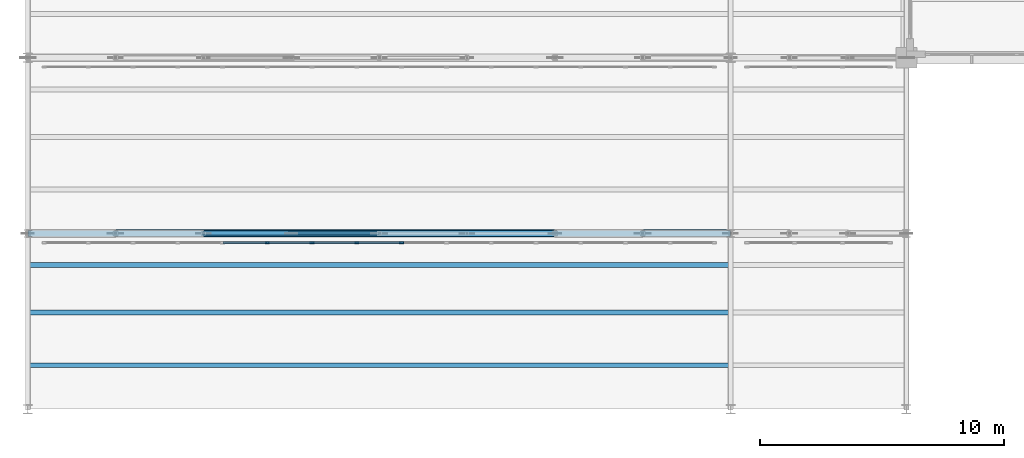
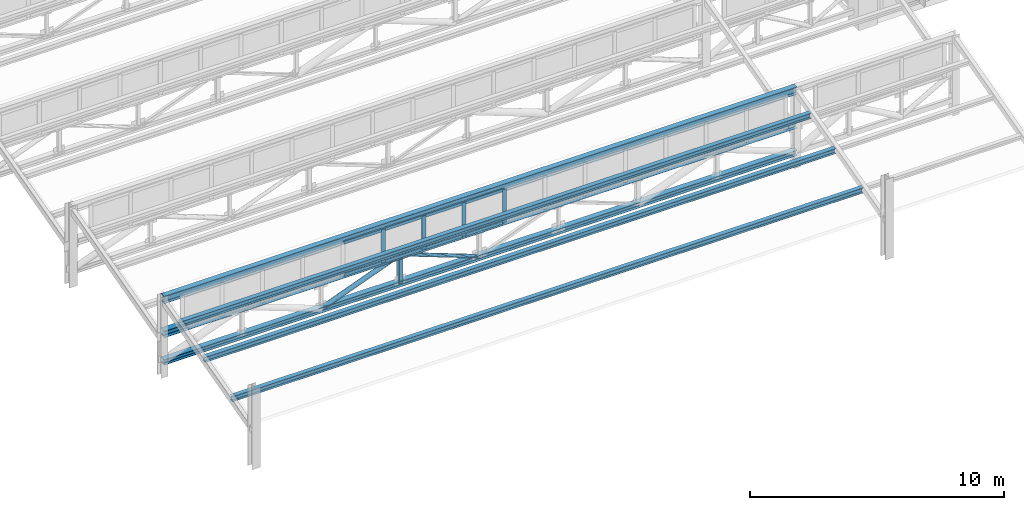
# One storey, part 8 of 98: 17 members, 4 beams, 1 element without a shape of its own.
"""IFC4 building model written with IfcOpenShell, lengths in metres."""

from ifc_helpers import new_model, si_unit, direction, frame, origin, origin_2d, place, context, subcontext, project, spatial, rectangle, hollow_rectangle, hollow_circle, i_section, extrude, material, layer, layer_set, material_profile, profile_set, type_object, element, aggregate, save


model = new_model("IFC4")

# Units and contexts
model_context = context("Model", 3, precision=1e-05, world=origin(), true_north=direction((0.0, 1.0)))
body_context = subcontext(model_context, "Body", "Model", "MODEL_VIEW")
ifc_project = project(units=[si_unit("LENGTHUNIT", "METRE"), si_unit("AREAUNIT", "SQUARE_METRE"), si_unit("VOLUMEUNIT", "CUBIC_METRE"), si_unit("PLANEANGLEUNIT", "RADIAN"), si_unit("MASSUNIT", "GRAM", prefix="KILO")], contexts=[model_context])

# Site, building, storey
site_placement = place(None, origin())
site = spatial("IfcSite", under=ifc_project, at=site_placement, CompositionType="ELEMENT")
building_placement = place(site_placement, origin())
building = spatial("IfcBuilding", under=site, at=building_placement, Name="Solenvale Faculty of Natural Sciences", CompositionType="ELEMENT")
storey_placement = place(building_placement, frame((0.0, 0.0, 9.0)))
storey = spatial("IfcBuildingStorey", under=building, at=storey_placement, Name="L02", CompositionType="ELEMENT", Elevation=9.0)

# Beams
ifc_material_1 = material(Name="Steel S355", Category="steel")
ifc_material_profile_1 = material_profile(ifc_material_1, i_section(OverallWidth=0.202880859375, OverallDepth=0.251953125, WebThickness=0.008056640625, FlangeThickness=0.013427734375, FilletRadius=0.012939453125, at=origin_2d()), Name="W250x58")
ifc_profile_set_1 = profile_set([ifc_material_profile_1], Name="Steel S355")
beam_type_1 = type_object("IfcBeamType", Name="BM-PRL-W250x58", PredefinedType="JOIST", material=ifc_profile_set_1)
for number, where, z_axis, x_axis, name in (
    (1, (0.0, 1.800048828125, 2.17919921875), (1.0, 0.0, 0.0), (0.0, 1.0, 0.0), "V1 Sawtooth Purlin 1.1.1"),
    (2, (0.0, 3.9599609375, 2.75830078125), (1.0, 0.0, 0.0), (0.0, 1.0, 0.0), "V1 Sawtooth Purlin 1.1.2"),
    (3, (0.0, 5.904052734375, 3.279296875), (1.0, 0.0, 0.0), (0.0, 1.0, 0.0), "V1 Sawtooth Purlin 1.1.3"),
):
    element("IfcBeam", number, at=place(storey_placement, frame(where, z_axis=z_axis, x_axis=x_axis)), inside=storey, type_object=beam_type_1, Name=name, PredefinedType="JOIST", context=body_context, shape_type="SweptSolid", body=[
        extrude(i_section(OverallWidth=0.202880859375, OverallDepth=0.251953125, WebThickness=0.008056640625, FlangeThickness=0.013427734375, FilletRadius=0.012939453125, at=origin_2d()), origin(), (0.0, 0.0, 1.0), 28.7041015625),
    ])
ifc_material_profile_2 = material_profile(ifc_material_1, i_section(OverallWidth=0.2548828125, OverallDepth=0.35693359375, WebThickness=0.010498046875, FlangeThickness=0.018310546875, FilletRadius=0.014892578125, at=origin_2d()), Name="W360x101")
ifc_profile_set_2 = profile_set([ifc_material_profile_2], Name="Steel S355")
beam_type_2 = type_object("IfcBeamType", Name="BM-STL-W360x101", PredefinedType="JOIST", material=ifc_profile_set_2)
beam_placement = place(storey_placement, frame((0.0, 7.199951171875, 3.68896484375), z_axis=(1.0, 0.0, 0.0), x_axis=(0.0, 1.0, 0.0)))
element("IfcBeam", 4, at=beam_placement, inside=storey, type_object=beam_type_2, Name="V1 Sawtooth Clerestory Ridge Beam 1.1", PredefinedType="JOIST", context=body_context, shape_type="SweptSolid", body=[
    extrude(i_section(OverallWidth=0.2548828125, OverallDepth=0.35693359375, WebThickness=0.010498046875, FlangeThickness=0.018310546875, FilletRadius=0.014892578125, at=origin_2d()), origin(), (0.0, 0.0, 1.0), 28.800048828125),
])

# Curtain wall, members
ifc_material_2 = material(Name="Anodised bronze aluminium", Category="aluminium")
ifc_layer = layer(ifc_material_2, 0.1650390625)
ifc_layer_set = layer_set([ifc_layer], Name="Anodised bronze aluminium")
curtain_wall_type = type_object("IfcCurtainWallType", Name="CW-SAW-CLR", PredefinedType="USERDEFINED", material=ifc_layer_set)
curtain_wall_placement = place(storey_placement, origin())
curtain_wall = element("IfcCurtainWall", 5, at=curtain_wall_placement, inside=storey, type_object=curtain_wall_type, Name="L02 Curtain Wall SAW-V1-CW-1-1", ObjectType="NORTH LIGHT CLERESTORY", PredefinedType="USERDEFINED")
ifc_material_profile_3 = material_profile(ifc_material_2, rectangle(XDim=0.06494140625, YDim=0.175048828125, at=origin_2d()), Name="ALU-MUL-65x175")
ifc_profile_set_3 = profile_set([ifc_material_profile_3], Name="Anodised bronze aluminium")
member_type_1 = type_object("IfcMemberType", Name="CWM-ALU-65x175", PredefinedType="MULLION", material=ifc_profile_set_3)
member_1_placement = place(storey_placement, frame((15.3173828125, 6.820068359375, 2.22998046875), z_axis=(0.0, 0.0, 1.0), x_axis=(0.0, -1.0, 0.0)))
member_1 = element("IfcMember", 6, at=member_1_placement, type_object=member_type_1, Name="CW-05 mullion 8", PredefinedType="MULLION", context=body_context, shape_type="SweptSolid", body=[
    extrude(rectangle(XDim=0.06494140625, YDim=0.175048828125, at=origin_2d()), origin(), (0.0, 0.0, 1.0), 1.610107421875),
])
member_2_placement = place(storey_placement, frame((13.482666015625, 6.820068359375, 2.22998046875), z_axis=(0.0, 0.0, 1.0), x_axis=(0.0, -1.0, 0.0)))
member_2 = element("IfcMember", 7, at=member_2_placement, type_object=member_type_1, Name="CW-05 mullion 9", PredefinedType="MULLION", context=body_context, shape_type="SweptSolid", body=[
    extrude(rectangle(XDim=0.06494140625, YDim=0.175048828125, at=origin_2d()), origin(), (0.0, 0.0, 1.0), 1.610107421875),
])
member_3_placement = place(storey_placement, frame((11.64794921875, 6.820068359375, 2.22998046875), z_axis=(0.0, 0.0, 1.0), x_axis=(0.0, -1.0, 0.0)))
member_3 = element("IfcMember", 8, at=member_3_placement, type_object=member_type_1, Name="CW-05 mullion 10", PredefinedType="MULLION", context=body_context, shape_type="SweptSolid", body=[
    extrude(rectangle(XDim=0.06494140625, YDim=0.175048828125, at=origin_2d()), origin(), (0.0, 0.0, 1.0), 1.610107421875),
])
member_4_placement = place(storey_placement, frame((9.813232421875, 6.820068359375, 2.22998046875), z_axis=(0.0, 0.0, 1.0), x_axis=(0.0, -1.0, 0.0)))
member_4 = element("IfcMember", 9, at=member_4_placement, type_object=member_type_1, Name="CW-05 mullion 11", PredefinedType="MULLION", context=body_context, shape_type="SweptSolid", body=[
    extrude(rectangle(XDim=0.06494140625, YDim=0.175048828125, at=origin_2d()), origin(), (0.0, 0.0, 1.0), 1.610107421875),
])
ifc_material_profile_4 = material_profile(ifc_material_2, rectangle(XDim=0.06494140625, YDim=0.135009765625, at=origin_2d()), Name="ALU-TRN-65x135")
ifc_profile_set_4 = profile_set([ifc_material_profile_4], Name="Anodised bronze aluminium")
member_type_2 = type_object("IfcMemberType", Name="CWT-ALU-65x135", PredefinedType="USERDEFINED", material=ifc_profile_set_4)
member_5_placement = place(storey_placement, frame((15.284912109375, 6.820068359375, 2.262451171875), z_axis=(-1.0, 0.0, 0.0), x_axis=(0.0, -1.0, 0.0)))
member_5 = element("IfcMember", 10, at=member_5_placement, type_object=member_type_2, Name="CW-05 transom 8.1", ObjectType="TRANSOM", PredefinedType="USERDEFINED", context=body_context, shape_type="SweptSolid", body=[
    extrude(rectangle(XDim=0.06494140625, YDim=0.135009765625, at=origin_2d()), origin(), (0.0, 0.0, 1.0), 1.769775390625),
])
member_6_placement = place(storey_placement, frame((15.284912109375, 6.820068359375, 3.8076171875), z_axis=(-1.0, 0.0, 0.0), x_axis=(0.0, -1.0, 0.0)))
member_6 = element("IfcMember", 11, at=member_6_placement, type_object=member_type_2, Name="CW-05 transom 8.2", ObjectType="TRANSOM", PredefinedType="USERDEFINED", context=body_context, shape_type="SweptSolid", body=[
    extrude(rectangle(XDim=0.06494140625, YDim=0.135009765625, at=origin_2d()), origin(), (0.0, 0.0, 1.0), 1.769775390625),
])
member_7_placement = place(storey_placement, frame((13.4501953125, 6.820068359375, 2.262451171875), z_axis=(-1.0, 0.0, 0.0), x_axis=(0.0, -1.0, 0.0)))
member_7 = element("IfcMember", 12, at=member_7_placement, type_object=member_type_2, Name="CW-05 transom 9.1", ObjectType="TRANSOM", PredefinedType="USERDEFINED", context=body_context, shape_type="SweptSolid", body=[
    extrude(rectangle(XDim=0.06494140625, YDim=0.135009765625, at=origin_2d()), origin(), (0.0, 0.0, 1.0), 1.769775390625),
])
member_8_placement = place(storey_placement, frame((13.4501953125, 6.820068359375, 3.8076171875), z_axis=(-1.0, 0.0, 0.0), x_axis=(0.0, -1.0, 0.0)))
member_8 = element("IfcMember", 13, at=member_8_placement, type_object=member_type_2, Name="CW-05 transom 9.2", ObjectType="TRANSOM", PredefinedType="USERDEFINED", context=body_context, shape_type="SweptSolid", body=[
    extrude(rectangle(XDim=0.06494140625, YDim=0.135009765625, at=origin_2d()), origin(), (0.0, 0.0, 1.0), 1.769775390625),
])
member_9_placement = place(storey_placement, frame((11.615478515625, 6.820068359375, 2.262451171875), z_axis=(-1.0, 0.0, 0.0), x_axis=(0.0, -1.0, 0.0)))
member_9 = element("IfcMember", 14, at=member_9_placement, type_object=member_type_2, Name="CW-05 transom 10.1", ObjectType="TRANSOM", PredefinedType="USERDEFINED", context=body_context, shape_type="SweptSolid", body=[
    extrude(rectangle(XDim=0.06494140625, YDim=0.135009765625, at=origin_2d()), origin(), (0.0, 0.0, 1.0), 1.76953125),
])
member_10_placement = place(storey_placement, frame((11.615478515625, 6.820068359375, 3.8076171875), z_axis=(-1.0, 0.0, 0.0), x_axis=(0.0, -1.0, 0.0)))
member_10 = element("IfcMember", 15, at=member_10_placement, type_object=member_type_2, Name="CW-05 transom 10.2", ObjectType="TRANSOM", PredefinedType="USERDEFINED", context=body_context, shape_type="SweptSolid", body=[
    extrude(rectangle(XDim=0.06494140625, YDim=0.135009765625, at=origin_2d()), origin(), (0.0, 0.0, 1.0), 1.76953125),
])
member_11_placement = place(storey_placement, frame((9.78076171875, 6.820068359375, 2.262451171875), z_axis=(-1.0, 0.0, 0.0), x_axis=(0.0, -1.0, 0.0)))
member_11 = element("IfcMember", 16, at=member_11_placement, type_object=member_type_2, Name="CW-05 transom 11.1", ObjectType="TRANSOM", PredefinedType="USERDEFINED", context=body_context, shape_type="SweptSolid", body=[
    extrude(rectangle(XDim=0.06494140625, YDim=0.135009765625, at=origin_2d()), origin(), (0.0, 0.0, 1.0), 1.76953125),
])
member_12_placement = place(storey_placement, frame((9.78076171875, 6.820068359375, 3.8076171875), z_axis=(-1.0, 0.0, 0.0), x_axis=(0.0, -1.0, 0.0)))
member_12 = element("IfcMember", 17, at=member_12_placement, type_object=member_type_2, Name="CW-05 transom 11.2", ObjectType="TRANSOM", PredefinedType="USERDEFINED", context=body_context, shape_type="SweptSolid", body=[
    extrude(rectangle(XDim=0.06494140625, YDim=0.135009765625, at=origin_2d()), origin(), (0.0, 0.0, 1.0), 1.76953125),
])
aggregate(curtain_wall, [member_1, member_2, member_3, member_4, member_5, member_6, member_7, member_8, member_9, member_10, member_11, member_12])

# Members
ifc_material_profile_5 = material_profile(ifc_material_1, hollow_circle(Radius=0.084228515625, WallThickness=0.008056640625, at=origin_2d()), Name="HSS168x8.0")
ifc_profile_set_5 = profile_set([ifc_material_profile_5], Name="Steel S355")
member_type_3 = type_object("IfcMemberType", Name="MB-BRC-CHS168", PredefinedType="BRACE", material=ifc_profile_set_5)
member_13_placement = place(storey_placement, frame((10.800048828125, 7.199951171875, 2.050048828125), z_axis=(0.935458110384, 0.0, -0.353437581075), x_axis=(0.0, 1.0, 0.0)))
element("IfcMember", 18, at=member_13_placement, inside=storey, type_object=member_type_3, Name="V1 Truss 1.1 Diagonal 4", PredefinedType="BRACE", context=body_context, shape_type="SweptSolid", body=[
    extrude(hollow_circle(Radius=0.084228515625, WallThickness=0.008056640625, at=origin_2d()), origin(), (0.0, 0.0, 1.0), 3.84814453125),
])
ifc_material_profile_6 = material_profile(ifc_material_1, hollow_circle(Radius=0.109619140625, WallThickness=0.009521484375, at=origin_2d()), Name="HSS219x9.5")
ifc_profile_set_6 = profile_set([ifc_material_profile_6], Name="Steel S355")
member_type_4 = type_object("IfcMemberType", Name="MB-BRC-CHS219", PredefinedType="BRACE", material=ifc_profile_set_6)
member_14_placement = place(storey_placement, frame((7.199951171875, 7.199951171875, 0.68994140625), z_axis=(0.935466034784, 0.0, 0.353416606522), x_axis=(0.0, 1.0, 0.0)))
element("IfcMember", 19, at=member_14_placement, inside=storey, type_object=member_type_4, Name="V1 Truss 1.1 Diagonal 3", PredefinedType="BRACE", context=body_context, shape_type="SweptSolid", body=[
    extrude(hollow_circle(Radius=0.109619140625, WallThickness=0.009521484375, at=origin_2d()), origin(), (0.0, 0.0, 1.0), 3.848388671875),
])
ifc_material_profile_7 = material_profile(ifc_material_1, i_section(OverallWidth=0.256103515625, OverallDepth=0.260009765625, WebThickness=0.0107421875, FlangeThickness=0.017333984375, FilletRadius=0.012939453125, at=origin_2d()), Name="W250x89")
ifc_profile_set_7 = profile_set([ifc_material_profile_7], Name="Steel S355")
member_type_5 = type_object("IfcMemberType", Name="MB-CHD-W250x89", PredefinedType="CHORD", material=ifc_profile_set_7)
member_15_placement = place(storey_placement, frame((0.0, 7.199951171875, 0.68994140625), z_axis=(1.0, 0.0, 0.0), x_axis=(0.0, 1.0, 0.0)))
element("IfcMember", 20, at=member_15_placement, inside=storey, type_object=member_type_5, Name="V1 Truss 1.1 Bottom Chord", PredefinedType="CHORD", context=body_context, shape_type="SweptSolid", body=[
    extrude(i_section(OverallWidth=0.256103515625, OverallDepth=0.260009765625, WebThickness=0.0107421875, FlangeThickness=0.017333984375, FilletRadius=0.012939453125, at=origin_2d()), origin(), (0.0, 0.0, 1.0), 28.800048828125),
])
ifc_material_profile_8 = material_profile(ifc_material_1, i_section(OverallWidth=0.304931640625, OverallDepth=0.30810546875, WebThickness=0.010009765625, FlangeThickness=0.015380859375, FilletRadius=0.014892578125, at=origin_2d()), Name="W310x97")
ifc_profile_set_8 = profile_set([ifc_material_profile_8], Name="Steel S355")
member_type_6 = type_object("IfcMemberType", Name="MB-CHD-W310x97", PredefinedType="CHORD", material=ifc_profile_set_8)
member_16_placement = place(storey_placement, frame((0.0, 7.199951171875, 2.050048828125), z_axis=(1.0, 0.0, 0.0), x_axis=(0.0, 1.0, 0.0)))
element("IfcMember", 21, at=member_16_placement, inside=storey, type_object=member_type_6, Name="V1 Truss 1.1 Top Chord", PredefinedType="CHORD", context=body_context, shape_type="SweptSolid", body=[
    extrude(i_section(OverallWidth=0.304931640625, OverallDepth=0.30810546875, WebThickness=0.010009765625, FlangeThickness=0.015380859375, FilletRadius=0.014892578125, at=origin_2d()), origin(), (0.0, 0.0, 1.0), 28.800048828125),
])
ifc_material_profile_9 = material_profile(ifc_material_1, hollow_rectangle(XDim=0.202880859375, YDim=0.202880859375, WallThickness=0.0126953125, InnerFilletRadius=0.0126953125, OuterFilletRadius=0.025390625, at=origin_2d()), Name="HSS203x203x13")
ifc_profile_set_9 = profile_set([ifc_material_profile_9], Name="Steel S355")
member_type_7 = type_object("IfcMemberType", Name="MB-STR-HSS203", PredefinedType="STRUT", material=ifc_profile_set_9)
member_17_placement = place(storey_placement, frame((10.800048828125, 7.199951171875, 0.68994140625), z_axis=(0.0, 0.0, 1.0), x_axis=(1.0, 0.0, 0.0)))
element("IfcMember", 22, at=member_17_placement, inside=storey, type_object=member_type_7, Name="V1 Truss 1.1 Strut 3", PredefinedType="STRUT", context=body_context, shape_type="SweptSolid", body=[
    extrude(hollow_rectangle(XDim=0.202880859375, YDim=0.202880859375, WallThickness=0.0126953125, InnerFilletRadius=0.0126953125, OuterFilletRadius=0.025390625, at=origin_2d()), origin(), (0.0, 0.0, 1.0), 1.360107421875),
])

save(model, "model.ifc")
